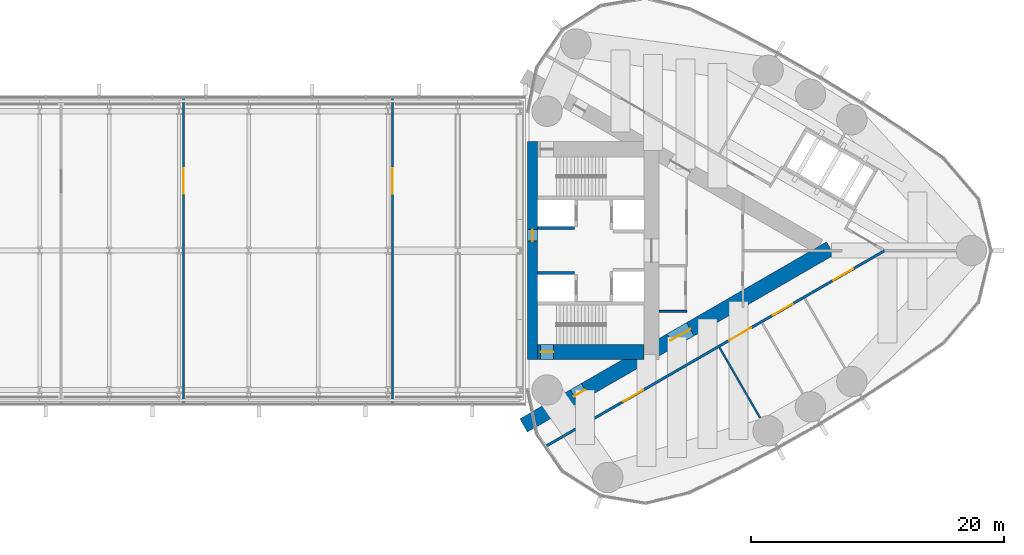
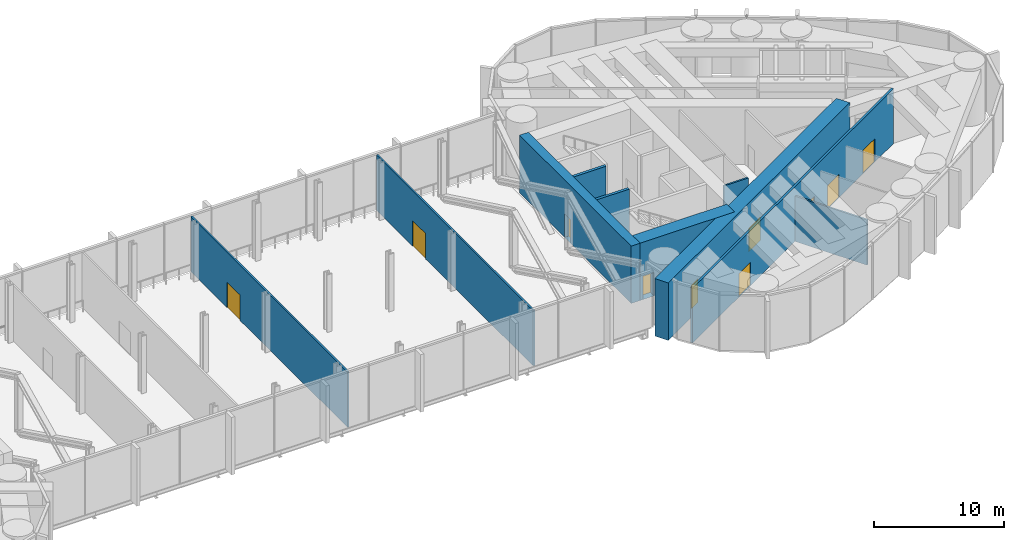
# One storey, part 17 of 21: 10 doors, 10 walls, 10 openings.
"""IFC4 building model written with IfcOpenShell, lengths in metres."""

from ifc_helpers import new_model, si_unit, direction, frame, frame_2d, origin, place, context, subcontext, project, spatial, rectangle, extrude, material, layer, layer_set, type_object, element, fill, save


model = new_model("IFC4")

# Units and contexts
model_context = context("Model", 3, precision=1e-05, world=origin(), true_north=direction((0.0, 1.0)))
body_context = subcontext(model_context, "Body", "Model", "MODEL_VIEW")
ifc_project = project(units=[si_unit("LENGTHUNIT", "METRE"), si_unit("AREAUNIT", "SQUARE_METRE"), si_unit("VOLUMEUNIT", "CUBIC_METRE"), si_unit("PLANEANGLEUNIT", "RADIAN"), si_unit("MASSUNIT", "GRAM", prefix="KILO")], contexts=[model_context])

# Site, building, storey
site_placement = place(None, origin())
site = spatial("IfcSite", under=ifc_project, at=site_placement, CompositionType="ELEMENT")
building_placement = place(site_placement, origin())
building = spatial("IfcBuilding", under=site, at=building_placement, Name="Lancet Gate Hotel", CompositionType="ELEMENT")
storey_placement = place(building_placement, frame((0.0, 0.0, 251.89990234375)))
storey = spatial("IfcBuildingStorey", under=building, at=storey_placement, Name="L67", CompositionType="ELEMENT", Elevation=251.89990234375)

# Wall, openings, doors
ifc_material_1 = material(Name="Concrete C70/85", Category="concrete")
ifc_layer_1 = layer(ifc_material_1, 1.199951171875)
ifc_layer_set_1 = layer_set([ifc_layer_1], Name="Buttress wall 1200")
wall_type_1 = type_object("IfcWallType", Name="Buttress wall 1200", PredefinedType="SHEAR", material=ifc_layer_set_1)
wall_1_placement = place(storey_placement, frame((27.199951171875, -13.800048828125, 0.0), z_axis=(0.0, 0.0, 1.0), x_axis=(0.866027159892, 0.499996958321, 0.0)))
wall_1 = element("IfcWall", 1, at=wall_1_placement, inside=storey, type_object=wall_type_1, Name="T2 buttress wall S L67", PredefinedType="SHEAR", context=body_context, shape_type="SweptSolid", body=[
    extrude(rectangle(XDim=27.946533203125, YDim=1.199951171875, at=frame_2d((13.97314453125, 0.0))), origin(), (0.0, 0.0, 1.0), 5.400146484375),
])
opening_1_placement = place(wall_1_placement, frame((4.60009765625, 0.0, 0.0)))
opening_1 = element("IfcOpeningElement", 2, at=opening_1_placement, cuts=wall_1, Name="Opening T2-L67-LS", PredefinedType="OPENING", context=body_context, shape_type="SweptSolid", body=[
    extrude(rectangle(XDim=1.0, YDim=2.199951171875, at=frame_2d((0.5, 1.10009765625))), frame((0.0, 0.60986328125, 0.0), z_axis=(0.0, -1.0, 0.0), x_axis=(1.0, 0.0, 0.0)), (0.0, 0.0, 1.0), 1.219970703125),
])
opening_2_placement = place(wall_1_placement, frame((13.39453125, 0.0, 0.0)))
opening_2 = element("IfcOpeningElement", 3, at=opening_2_placement, cuts=wall_1, Name="Opening T2-L67-LHS", PredefinedType="OPENING", context=body_context, shape_type="SweptSolid", body=[
    extrude(rectangle(XDim=1.800048828125, YDim=2.199951171875, at=frame_2d((0.89990234375, 1.10009765625))), frame((0.0, 0.60986328125, 0.0), z_axis=(0.0, -1.0, 0.0), x_axis=(1.0, 0.0, 0.0)), (0.0, 0.0, 1.0), 1.219970703125),
])
ifc_material_2 = material(Name="Timber door set", Category="wood")
door_type_1 = type_object("IfcDoorType", Name="Lobby double door 1800", OperationType="DOUBLE_DOOR_SINGLE_SWING", PredefinedType="DOOR", material=ifc_material_2)
door_1_placement = place(opening_2_placement, origin())
door_1 = element("IfcDoor", 4, at=door_1_placement, inside=storey, type_object=door_type_1, Name="T2-L67-LHS", OperationType="DOUBLE_DOOR_SINGLE_SWING", OverallHeight=2.199951171875, OverallWidth=1.800048828125, PredefinedType="DOOR", context=body_context, shape_type="SweptSolid", body=[
    extrude(rectangle(XDim=1.800048828125, YDim=2.199951171875, at=frame_2d((0.89990234375, 1.10009765625))), frame((0.0, 0.02490234375, 0.0), z_axis=(0.0, -1.0, 0.0), x_axis=(1.0, 0.0, 0.0)), (0.0, 0.0, 1.0), 0.050048828125),
])
fill(opening_2, door_1)
ifc_material_3 = material(Name="Timber door set", Category="wood")
door_type_2 = type_object("IfcDoorType", Name="Stair lobby door 1000", OperationType="SINGLE_SWING_LEFT", PredefinedType="DOOR", material=ifc_material_3)
door_2_placement = place(opening_1_placement, origin())
door_2 = element("IfcDoor", 5, at=door_2_placement, inside=storey, type_object=door_type_2, Name="T2-L67-LS", OperationType="SINGLE_SWING_LEFT", OverallHeight=2.199951171875, OverallWidth=1.0, PredefinedType="DOOR", context=body_context, shape_type="SweptSolid", body=[
    extrude(rectangle(XDim=1.0, YDim=2.199951171875, at=frame_2d((0.5, 1.10009765625))), frame((0.0, 0.02490234375, 0.0), z_axis=(0.0, -1.0, 0.0), x_axis=(1.0, 0.0, 0.0)), (0.0, 0.0, 1.0), 0.050048828125),
])
fill(opening_1, door_2)

# Wall, opening, door
ifc_material_4 = material(Name="Concrete C70/85", Category="concrete")
ifc_layer_2 = layer(ifc_material_4, 1.199951171875)
ifc_layer_set_2 = layer_set([ifc_layer_2], Name="Core wall 1200")
wall_type_2 = type_object("IfcWallType", Name="Core wall 1200", PredefinedType="SHEAR", material=ifc_layer_set_2)
wall_2_placement = place(storey_placement, frame((28.300048828125, -8.0, 0.0), z_axis=(0.0, 0.0, 1.0), x_axis=(1.0, 0.0, 0.0)))
wall_2 = element("IfcWall", 6, at=wall_2_placement, inside=storey, type_object=wall_type_2, Name="T2 core wall side-S L67", PredefinedType="SHEAR", context=body_context, shape_type="SweptSolid", body=[
    extrude(rectangle(XDim=8.39990234375, YDim=1.199951171875, at=frame_2d((4.199951171875, 0.0))), origin(), (0.0, 0.0, 1.0), 5.400146484375),
])
opening_3_placement = place(wall_2_placement, frame((0.25, 0.0, 0.0)))
opening_3 = element("IfcOpeningElement", 7, at=opening_3_placement, cuts=wall_2, Name="Opening T2-L67-ST1", PredefinedType="OPENING", context=body_context, shape_type="SweptSolid", body=[
    extrude(rectangle(XDim=1.0, YDim=2.199951171875, at=frame_2d((0.5, 1.10009765625))), frame((0.0, 0.60986328125, 0.0), z_axis=(0.0, -1.0, 0.0), x_axis=(1.0, 0.0, 0.0)), (0.0, 0.0, 1.0), 1.219970703125),
])
ifc_material_5 = material(Name="Timber door set", Category="wood")
door_type_3 = type_object("IfcDoorType", Name="Stair door 1000", OperationType="SINGLE_SWING_RIGHT", PredefinedType="DOOR", material=ifc_material_5)
door_3_placement = place(opening_3_placement, origin())
door_3 = element("IfcDoor", 8, at=door_3_placement, inside=storey, type_object=door_type_3, Name="T2-L67-ST1", OperationType="SINGLE_SWING_RIGHT", OverallHeight=2.199951171875, OverallWidth=1.0, PredefinedType="DOOR", context=body_context, shape_type="SweptSolid", body=[
    extrude(rectangle(XDim=1.0, YDim=2.199951171875, at=frame_2d((0.5, 1.10009765625))), frame((0.0, 0.02490234375, 0.0), z_axis=(0.0, -1.0, 0.0), x_axis=(1.0, 0.0, 0.0)), (0.0, 0.0, 1.0), 0.050048828125),
])
fill(opening_3, door_3)

ifc_material_6 = material(Name="Concrete C70/85", Category="concrete")
ifc_layer_3 = layer(ifc_material_6, 0.800048828125)
ifc_layer_set_3 = layer_set([ifc_layer_3], Name="Core wall 800")
wall_type_3 = type_object("IfcWallType", Name="Core wall 800", PredefinedType="SHEAR", material=ifc_layer_set_3)
wall_3_placement = place(storey_placement, frame((27.89990234375, -8.60009765625, 0.0), z_axis=(0.0, 0.0, 1.0), x_axis=(0.0, 1.0, 0.0)))
wall_3 = element("IfcWall", 9, at=wall_3_placement, inside=storey, type_object=wall_type_3, Name="T2 core wall front L67", PredefinedType="SHEAR", context=body_context, shape_type="SweptSolid", body=[
    extrude(rectangle(XDim=17.2001953125, YDim=0.800048828125, at=frame_2d((8.60009765625, 0.0))), origin(), (0.0, 0.0, 1.0), 5.400146484375),
])
opening_4_placement = place(wall_3_placement, frame((9.35009765625, 0.0, 0.0)))
opening_4 = element("IfcOpeningElement", 10, at=opening_4_placement, cuts=wall_3, Name="Opening T2-L67-BR", PredefinedType="OPENING", context=body_context, shape_type="SweptSolid", body=[
    extrude(rectangle(XDim=0.89990234375, YDim=2.199951171875, at=frame_2d((0.449951171875, 1.10009765625))), frame((0.0, 0.409912109375, 0.0), z_axis=(0.0, -1.0, 0.0), x_axis=(1.0, 0.0, 0.0)), (0.0, 0.0, 1.0), 0.820068359375),
])
ifc_material_7 = material(Name="Steel door set", Category="steel")
door_type_4 = type_object("IfcDoorType", Name="Bridge fire door 900", OperationType="SINGLE_SWING_LEFT", PredefinedType="DOOR", material=ifc_material_7)
door_4_placement = place(opening_4_placement, origin())
door_4 = element("IfcDoor", 11, at=door_4_placement, inside=storey, type_object=door_type_4, Name="T2-L67-BR", OperationType="SINGLE_SWING_LEFT", OverallHeight=2.199951171875, OverallWidth=0.89990234375, PredefinedType="DOOR", context=body_context, shape_type="SweptSolid", body=[
    extrude(rectangle(XDim=0.89990234375, YDim=2.199951171875, at=frame_2d((0.449951171875, 1.10009765625))), frame((0.0, 0.02490234375, 0.0), z_axis=(0.0, -1.0, 0.0), x_axis=(1.0, 0.0, 0.0)), (0.0, 0.0, 1.0), 0.050048828125),
])
fill(opening_4, door_4)

# Wall, openings, doors
ifc_material_8 = material(Name="Gypsum board partition")
ifc_layer_4 = layer(ifc_material_8, 0.199951171875)
ifc_layer_set_4 = layer_set([ifc_layer_4], Name="Corridor wall 200")
wall_type_4 = type_object("IfcWallType", Name="Corridor wall 200", PredefinedType="PARTITIONING", material=ifc_layer_set_4)
wall_4_placement = place(storey_placement, frame((28.90673828125, -15.470458984375, 0.0), z_axis=(0.0, 0.0, 1.0), x_axis=(0.866023700353, 0.500002950419, 0.0)))
wall_4 = element("IfcWall", 12, at=wall_4_placement, inside=storey, type_object=wall_type_4, Name="T2 corridor wall 200 L67", PredefinedType="PARTITIONING", context=body_context, shape_type="SweptSolid", body=[
    extrude(rectangle(XDim=30.940673828125, YDim=0.199951171875, at=frame_2d((15.47021484375, 0.0))), origin(), (0.0, 0.0, 1.0), 5.150146484375),
])
opening_5_placement = place(wall_4_placement, frame((7.123779296875, 0.0, 0.0)))
opening_5 = element("IfcOpeningElement", 13, at=opening_5_placement, cuts=wall_4, Name="Opening T2-L67-DR01", PredefinedType="OPENING", context=body_context, shape_type="SweptSolid", body=[
    extrude(rectangle(XDim=1.800048828125, YDim=2.199951171875, at=frame_2d((0.89990234375, 1.10009765625))), frame((0.0, 0.10986328125, 0.0), z_axis=(0.0, -1.0, 0.0), x_axis=(1.0, 0.0, 0.0)), (0.0, 0.0, 1.0), 0.219970703125),
])
opening_6_placement = place(wall_4_placement, frame((16.7646484375, 0.0, 0.0)))
opening_6 = element("IfcOpeningElement", 14, at=opening_6_placement, cuts=wall_4, Name="Opening T2-L67-DR02", PredefinedType="OPENING", context=body_context, shape_type="SweptSolid", body=[
    extrude(rectangle(XDim=2.0, YDim=2.39990234375, at=frame_2d((1.0, 1.199951171875))), frame((0.0, 0.10986328125, 0.0), z_axis=(0.0, -1.0, 0.0), x_axis=(1.0, 0.0, 0.0)), (0.0, 0.0, 1.0), 0.219970703125),
])
opening_7_placement = place(wall_4_placement, frame((20.74755859375, 0.0, 0.0)))
opening_7 = element("IfcOpeningElement", 15, at=opening_7_placement, cuts=wall_4, Name="Opening T2-L67-DR03", PredefinedType="OPENING", context=body_context, shape_type="SweptSolid", body=[
    extrude(rectangle(XDim=1.800048828125, YDim=2.199951171875, at=frame_2d((0.89990234375, 1.10009765625))), frame((0.0, 0.10986328125, 0.0), z_axis=(0.0, -1.0, 0.0), x_axis=(1.0, 0.0, 0.0)), (0.0, 0.0, 1.0), 0.219970703125),
])
opening_8_placement = place(wall_4_placement, frame((26.252197265625, 0.0, 0.0)))
opening_8 = element("IfcOpeningElement", 16, at=opening_8_placement, cuts=wall_4, Name="Opening T2-L67-DR04", PredefinedType="OPENING", context=body_context, shape_type="SweptSolid", body=[
    extrude(rectangle(XDim=1.800048828125, YDim=2.199951171875, at=frame_2d((0.89990234375, 1.10009765625))), frame((0.0, 0.10986328125, 0.0), z_axis=(0.0, -1.0, 0.0), x_axis=(1.0, 0.0, 0.0)), (0.0, 0.0, 1.0), 0.219970703125),
])
ifc_material_9 = material(Name="Timber door set", Category="wood")
door_type_5 = type_object("IfcDoorType", Name="Double door 1800", OperationType="DOUBLE_DOOR_SINGLE_SWING", PredefinedType="DOOR", material=ifc_material_9)
door_5_placement = place(opening_5_placement, origin())
door_5 = element("IfcDoor", 17, at=door_5_placement, inside=storey, type_object=door_type_5, Name="T2-L67-DR01", OperationType="DOUBLE_DOOR_SINGLE_SWING", OverallHeight=2.199951171875, OverallWidth=1.800048828125, PredefinedType="DOOR", context=body_context, shape_type="SweptSolid", body=[
    extrude(rectangle(XDim=1.800048828125, YDim=2.199951171875, at=frame_2d((0.89990234375, 1.10009765625))), frame((0.0, 0.02490234375, 0.0), z_axis=(0.0, -1.0, 0.0), x_axis=(1.0, 0.0, 0.0)), (0.0, 0.0, 1.0), 0.050048828125),
])
fill(opening_5, door_5)
door_6_placement = place(opening_7_placement, origin())
door_6 = element("IfcDoor", 18, at=door_6_placement, inside=storey, type_object=door_type_5, Name="T2-L67-DR03", OperationType="DOUBLE_DOOR_SINGLE_SWING", OverallHeight=2.199951171875, OverallWidth=1.800048828125, PredefinedType="DOOR", context=body_context, shape_type="SweptSolid", body=[
    extrude(rectangle(XDim=1.800048828125, YDim=2.199951171875, at=frame_2d((0.89990234375, 1.10009765625))), frame((0.0, 0.02490234375, 0.0), z_axis=(0.0, -1.0, 0.0), x_axis=(1.0, 0.0, 0.0)), (0.0, 0.0, 1.0), 0.050048828125),
])
fill(opening_7, door_6)
door_7_placement = place(opening_8_placement, origin())
door_7 = element("IfcDoor", 19, at=door_7_placement, inside=storey, type_object=door_type_5, Name="T2-L67-DR04", OperationType="DOUBLE_DOOR_SINGLE_SWING", OverallHeight=2.199951171875, OverallWidth=1.800048828125, PredefinedType="DOOR", context=body_context, shape_type="SweptSolid", body=[
    extrude(rectangle(XDim=1.800048828125, YDim=2.199951171875, at=frame_2d((0.89990234375, 1.10009765625))), frame((0.0, 0.02490234375, 0.0), z_axis=(0.0, -1.0, 0.0), x_axis=(1.0, 0.0, 0.0)), (0.0, 0.0, 1.0), 0.050048828125),
])
fill(opening_8, door_7)
ifc_material_10 = material(Name="Timber door set", Category="wood")
door_type_6 = type_object("IfcDoorType", Name="Plant room double door 2000", OperationType="DOUBLE_DOOR_SINGLE_SWING", PredefinedType="DOOR", material=ifc_material_10)
door_8_placement = place(opening_6_placement, origin())
door_8 = element("IfcDoor", 20, at=door_8_placement, inside=storey, type_object=door_type_6, Name="T2-L67-DR02", OperationType="DOUBLE_DOOR_SINGLE_SWING", OverallHeight=2.39990234375, OverallWidth=2.0, PredefinedType="DOOR", context=body_context, shape_type="SweptSolid", body=[
    extrude(rectangle(XDim=2.0, YDim=2.39990234375, at=frame_2d((1.0, 1.199951171875))), frame((0.0, 0.02490234375, 0.0), z_axis=(0.0, -1.0, 0.0), x_axis=(1.0, 0.0, 0.0)), (0.0, 0.0, 1.0), 0.050048828125),
])
fill(opening_6, door_8)

# Walls
ifc_material_11 = material(Name="Concrete C50/60", Category="concrete")
ifc_layer_5 = layer(ifc_material_11, 0.25)
ifc_layer_set_5 = layer_set([ifc_layer_5], Name="Lift shaft wall 250")
wall_type_5 = type_object("IfcWallType", Name="Lift shaft wall 250", PredefinedType="SHEAR", material=ifc_layer_set_5)
for number, where, z_axis, x_axis, name in (
    (21, (28.300048828125, -1.77490234375, 0.0), (0.0, 0.0, 1.0), (1.0, 0.0, 0.0), "T2 core wall pass1-S L67"),
    (22, (28.300048828125, 1.77490234375, 0.0), (0.0, 0.0, 1.0), (1.0, 0.0, 0.0), "T2 core wall pass1-N L67"),
):
    element("IfcWall", number, at=place(storey_placement, frame(where, z_axis=z_axis, x_axis=x_axis)), inside=storey, type_object=wall_type_5, Name=name, PredefinedType="SHEAR", context=body_context, shape_type="SweptSolid", body=[
        extrude(rectangle(XDim=2.89990234375, YDim=0.25, at=frame_2d((1.449951171875, 0.0))), origin(), (0.0, 0.0, 1.0), 5.400146484375),
    ])
ifc_material_12 = material(Name="Gypsum board partition")
ifc_layer_6 = layer(ifc_material_12, 0.14990234375)
ifc_layer_set_6 = layer_set([ifc_layer_6], Name="Party wall 150")
wall_type_6 = type_object("IfcWallType", Name="Party wall 150", PredefinedType="PARTITIONING", material=ifc_layer_set_6)
wall_5_placement = place(storey_placement, frame((42.65966796875, -7.6455078125, 0.0), z_axis=(0.0, 0.0, 1.0), x_axis=(0.499996592859, -0.866027370889, 0.0)))
element("IfcWall", 23, at=wall_5_placement, inside=storey, type_object=wall_type_6, Name="T2 party wall 150 L67", PredefinedType="PARTITIONING", context=body_context, shape_type="SweptSolid", body=[
    extrude(rectangle(XDim=6.3984375, YDim=0.14990234375, at=frame_2d((3.19921875, 0.0))), origin(), (0.0, 0.0, 1.0), 4.25),
])
ifc_material_13 = material(Name="Gypsum board partition")
ifc_layer_7 = layer(ifc_material_13, 0.14990234375)
ifc_layer_set_7 = layer_set([ifc_layer_7], Name="Service room wall 150")
wall_type_7 = type_object("IfcWallType", Name="Service room wall 150", PredefinedType="PARTITIONING", material=ifc_layer_set_7)
wall_6_placement = place(storey_placement, frame((37.89990234375, -4.800048828125, 0.0), z_axis=(0.0, 0.0, 1.0), x_axis=(1.0, 0.0, 0.0)))
element("IfcWall", 24, at=wall_6_placement, inside=storey, type_object=wall_type_7, Name="T2 service room wall 150 L67", PredefinedType="PARTITIONING", context=body_context, shape_type="SweptSolid", body=[
    extrude(rectangle(XDim=2.175048828125, YDim=0.14990234375, at=frame_2d((1.08740234375, 0.0))), origin(), (0.0, 0.0, 1.0), 5.150146484375),
])

# Wall, opening, door
wall_7_placement = place(storey_placement, frame((0.35009765625, -12.070068359375, 0.0), z_axis=(0.0, 0.0, 1.0), x_axis=(0.0, 1.0, 0.0)))
wall_7 = element("IfcWall", 25, at=wall_7_placement, inside=storey, type_object=wall_type_7, Name="Bridge block service room wall 150 L67", PredefinedType="PARTITIONING", context=body_context, shape_type="SweptSolid", body=[
    extrude(rectangle(XDim=24.14013671875, YDim=0.14990234375, at=frame_2d((12.070068359375, 0.0))), origin(), (0.0, 0.0, 1.0), 5.2001953125),
])
opening_9_placement = place(wall_7_placement, frame((16.570068359375, 0.0, 0.0)))
opening_9 = element("IfcOpeningElement", 26, at=opening_9_placement, cuts=wall_7, Name="Opening BR-L67-BK4", PredefinedType="OPENING", context=body_context, shape_type="SweptSolid", body=[
    extrude(rectangle(XDim=2.0, YDim=2.39990234375, at=frame_2d((1.0, 1.199951171875))), frame((0.0, 0.0849609375, 0.0), z_axis=(0.0, -1.0, 0.0), x_axis=(1.0, 0.0, 0.0)), (0.0, 0.0, 1.0), 0.169921875),
])
door_9_placement = place(opening_9_placement, origin())
door_9 = element("IfcDoor", 27, at=door_9_placement, inside=storey, type_object=door_type_6, Name="BR-L67-BK4", OperationType="DOUBLE_DOOR_SINGLE_SWING", OverallHeight=2.39990234375, OverallWidth=2.0, PredefinedType="DOOR", context=body_context, shape_type="SweptSolid", body=[
    extrude(rectangle(XDim=2.0, YDim=2.39990234375, at=frame_2d((1.0, 1.199951171875))), frame((0.0, 0.02490234375, 0.0), z_axis=(0.0, -1.0, 0.0), x_axis=(1.0, 0.0, 0.0)), (0.0, 0.0, 1.0), 0.050048828125),
])
fill(opening_9, door_9)

wall_8_placement = place(storey_placement, frame((16.85009765625, -12.070068359375, 0.0), z_axis=(0.0, 0.0, 1.0), x_axis=(0.0, 1.0, 0.0)))
wall_8 = element("IfcWall", 28, at=wall_8_placement, inside=storey, type_object=wall_type_7, Name="Bridge block service room wall 150 L67", PredefinedType="PARTITIONING", context=body_context, shape_type="SweptSolid", body=[
    extrude(rectangle(XDim=24.14013671875, YDim=0.14990234375, at=frame_2d((12.070068359375, 0.0))), origin(), (0.0, 0.0, 1.0), 5.2001953125),
])
opening_10_placement = place(wall_8_placement, frame((16.570068359375, 0.0, 0.0)))
opening_10 = element("IfcOpeningElement", 29, at=opening_10_placement, cuts=wall_8, Name="Opening BR-L67-BK5", PredefinedType="OPENING", context=body_context, shape_type="SweptSolid", body=[
    extrude(rectangle(XDim=2.0, YDim=2.39990234375, at=frame_2d((1.0, 1.199951171875))), frame((0.0, 0.0849609375, 0.0), z_axis=(0.0, -1.0, 0.0), x_axis=(1.0, 0.0, 0.0)), (0.0, 0.0, 1.0), 0.169921875),
])
door_10_placement = place(opening_10_placement, origin())
door_10 = element("IfcDoor", 30, at=door_10_placement, inside=storey, type_object=door_type_6, Name="BR-L67-BK5", OperationType="DOUBLE_DOOR_SINGLE_SWING", OverallHeight=2.39990234375, OverallWidth=2.0, PredefinedType="DOOR", context=body_context, shape_type="SweptSolid", body=[
    extrude(rectangle(XDim=2.0, YDim=2.39990234375, at=frame_2d((1.0, 1.199951171875))), frame((0.0, 0.02490234375, 0.0), z_axis=(0.0, -1.0, 0.0), x_axis=(1.0, 0.0, 0.0)), (0.0, 0.0, 1.0), 0.050048828125),
])
fill(opening_10, door_10)

save(model, "model.ifc")
